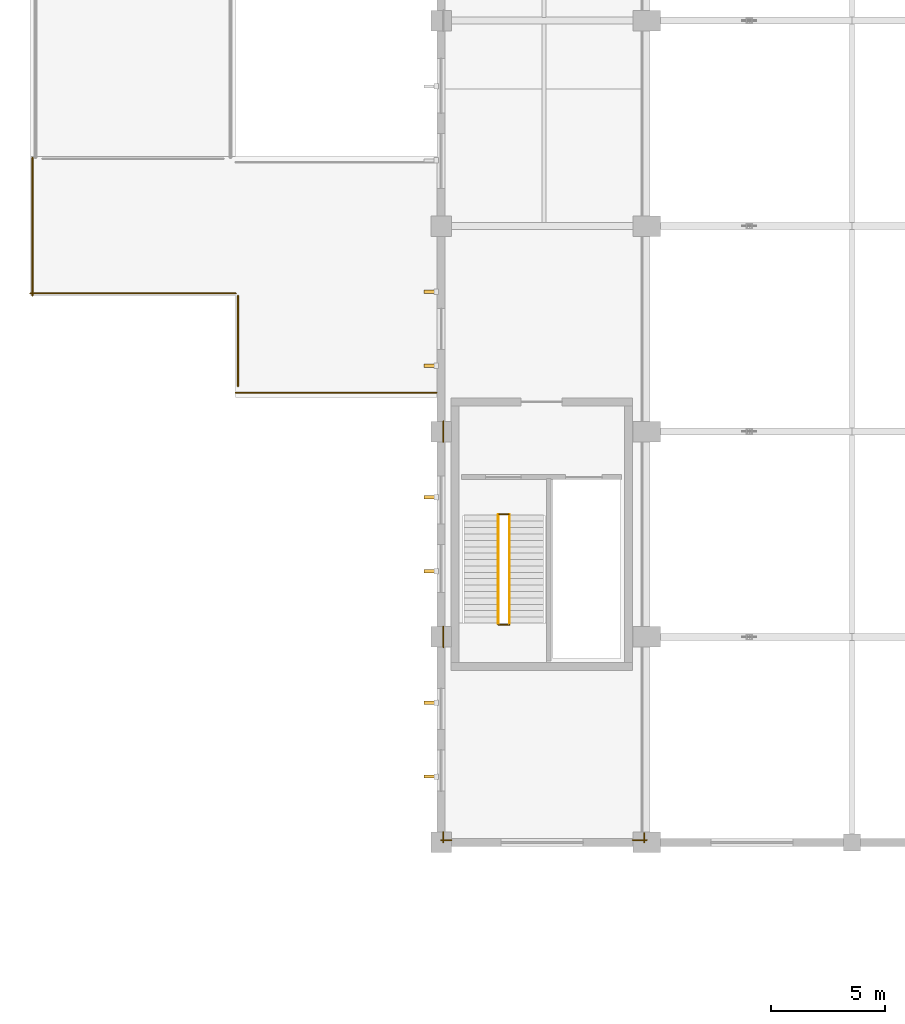
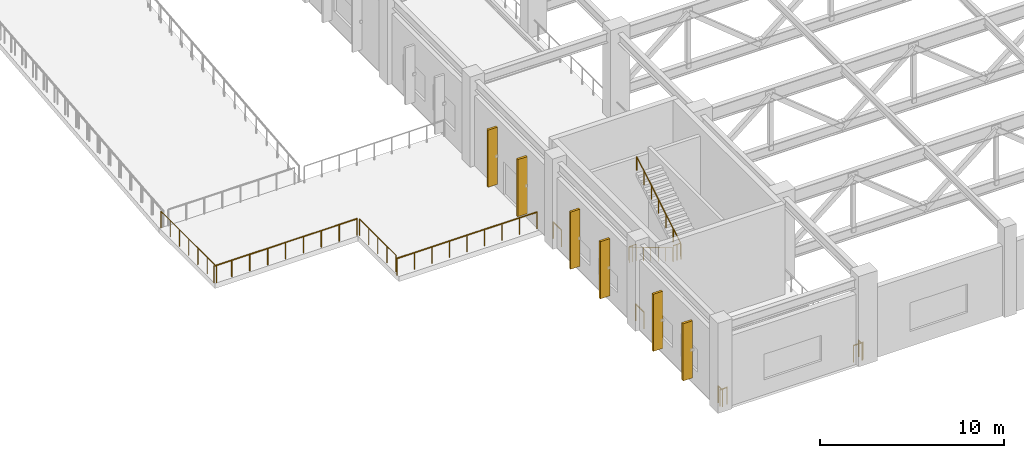
# One storey, part 201 of 223: 14 railings, 6 shading devices.
"""IFC4 building model written with IfcOpenShell, lengths in metres."""

import ifcopenshell
import ifcopenshell.guid

model = None  # the IFC model being written
_history = None  # IfcOwnerHistory: only IFC2X3 demands one
_inside = {}  # id of a spatial element -> (the spatial element, [elements in it])
_under = {}  # id of a project, library or spatial element -> (it, [spatial elements below it])
_declared = {}  # id of a project -> (the project, [libraries it declares])
_typed = {}  # id of a type object -> (the type object, [elements of that type])
_made_of = {}  # id of a material, layer set ... -> (it, [elements and type objects made of it])


def new_model(schema):
    """Start an empty IFC model of exactly this schema.

    Asked for "IFC4X3", IfcOpenShell would pick the latest addendum, in which some entities
    have other attributes; the version numbers below select the first issue.
    IFC2X3 requires an IfcOwnerHistory on every rooted entity: one is made here for all.
    """
    global model, _history
    if schema == "IFC4X3":
        model = ifcopenshell.file(schema_version=(4, 3, 0, 0))
    else:
        model = ifcopenshell.file(schema=schema)
    _inside.clear()
    _under.clear()
    _declared.clear()
    _typed.clear()
    _made_of.clear()
    _history = None
    if model.schema == "IFC2X3":
        org = make("IfcOrganization", Name="unknown")
        user = make(
            "IfcPersonAndOrganization",
            ThePerson=make("IfcPerson", FamilyName="unknown"),
            TheOrganization=org,
        )
        app = make(
            "IfcApplication",
            ApplicationDeveloper=org,
            Version="unknown",
            ApplicationFullName="unknown",
            ApplicationIdentifier="unknown",
        )
        _history = make(
            "IfcOwnerHistory",
            OwningUser=user,
            OwningApplication=app,
            ChangeAction="ADDED",
            CreationDate=0,
        )
    return model


def make(cls, **values):
    """One entity of the class cls with the attributes given. An attribute that is None is left unset."""
    return model.create_entity(
        cls, **{name: value for name, value in values.items() if value is not None}
    )


def rooted(cls, **values):
    """An entity with a GlobalId (a new one), such as an element, a storey or a relation."""
    return make(cls, GlobalId=ifcopenshell.guid.new(), OwnerHistory=_history, **values)


def si_unit(unit_type, name, prefix=None):
    """IfcSIUnit, for example si_unit("LENGTHUNIT", "METRE", prefix="MILLI")."""
    return make("IfcSIUnit", UnitType=unit_type, Prefix=prefix, Name=name)


def assignment(units):
    """IfcUnitAssignment: the units of a project."""
    return None if units is None else make("IfcUnitAssignment", Units=units)


def point(xyz):
    """IfcCartesianPoint."""
    return None if xyz is None else make("IfcCartesianPoint", Coordinates=xyz)


def direction(xyz):
    """IfcDirection."""
    return None if xyz is None else make("IfcDirection", DirectionRatios=xyz)


def frame(location, z_axis=None, x_axis=None):
    """IfcAxis2Placement3D, a coordinate frame: its origin and axes. An axis left out is left unset."""
    return make(
        "IfcAxis2Placement3D",
        Location=point(location),
        Axis=direction(z_axis),
        RefDirection=direction(x_axis),
    )


def frame_2d(location, x_axis=None):
    """IfcAxis2Placement2D, a coordinate frame in the plane: its origin and x axis."""
    return make(
        "IfcAxis2Placement2D", Location=point(location), RefDirection=direction(x_axis)
    )


def origin():
    """The frame at (0, 0, 0) with its axes left unset."""
    return frame((0.0, 0.0, 0.0))


def origin_2d():
    """The frame at (0, 0) in the plane with its x axis left unset."""
    return frame_2d((0.0, 0.0))


def place(relative_to, where):
    """IfcLocalPlacement: puts the frame where relative to a parent placement (None: the world)."""
    return make(
        "IfcLocalPlacement", PlacementRelTo=relative_to, RelativePlacement=where
    )


def context(
    kind, dimensions, precision=None, world=None, true_north=None, identifier=None
):
    """IfcGeometricRepresentationContext, for example the 3D "Model" context."""
    return make(
        "IfcGeometricRepresentationContext",
        ContextIdentifier=identifier,
        ContextType=kind,
        CoordinateSpaceDimension=dimensions,
        Precision=precision,
        WorldCoordinateSystem=world,
        TrueNorth=true_north,
    )


def subcontext(parent, identifier, kind, view, scale=None):
    """IfcGeometricRepresentationSubContext, for example "Body" below "Model"."""
    return make(
        "IfcGeometricRepresentationSubContext",
        ContextIdentifier=identifier,
        ContextType=kind,
        ParentContext=parent,
        TargetScale=scale,
        TargetView=view,
    )


def project(units=None, contexts=None):
    """IfcProject with its units and contexts."""
    return rooted(
        "IfcProject",
        Name="project",
        RepresentationContexts=contexts,
        UnitsInContext=assignment(units),
    )


def spatial(cls, under=None, at=None, **own):
    """A site, building, storey or space (cls), placed at a placement, below another one or the project."""
    s = rooted(cls, ObjectPlacement=at, **own)
    if under is not None:
        _under.setdefault(under.id(), (under, []))[1].append(s)
    return s


def profile(cls, at=None, kind="AREA", **sizes):
    """A parametric profile (cls). Its sizes go by their IFC names, for example OverallWidth=200.0."""
    return make(cls, ProfileType=kind, Position=at, **sizes)


def rectangle(**sizes):
    """IfcRectangleProfileDef."""
    return profile("IfcRectangleProfileDef", **sizes)


def circle(**sizes):
    """IfcCircleProfileDef."""
    return profile("IfcCircleProfileDef", **sizes)


def extrude(swept, where, along, depth):
    """IfcExtrudedAreaSolid: the profile swept, set in the frame where, extruded along a direction by depth."""
    return make(
        "IfcExtrudedAreaSolid",
        SweptArea=swept,
        Position=where,
        ExtrudedDirection=direction(along),
        Depth=depth,
    )


def shape(context_of_items, identifier, shape_type, items):
    """IfcShapeRepresentation: the items that make up one representation, for example the "Body"."""
    return make(
        "IfcShapeRepresentation",
        ContextOfItems=context_of_items,
        RepresentationIdentifier=identifier,
        RepresentationType=shape_type,
        Items=items,
    )


def material(Name=None, Category=None):
    """IfcMaterial."""
    return make("IfcMaterial", Name=Name, Category=Category)


def layer(
    of_material, thickness, ventilated=None, Name=None, Category=None, Priority=None
):
    """IfcMaterialLayer: one layer of a wall or slab, of a material (None: an air gap)."""
    return make(
        "IfcMaterialLayer",
        Material=of_material,
        LayerThickness=thickness,
        IsVentilated=ventilated,
        Name=Name,
        Category=Category,
        Priority=Priority,
    )


def layer_set(layers, Name=None):
    """IfcMaterialLayerSet."""
    return make("IfcMaterialLayerSet", MaterialLayers=layers, LayerSetName=Name)


def made_of(thing, what):
    """Note that an element or type object is made of a material, layer set ...; save() writes the relation."""
    if what is not None:
        _made_of.setdefault(what.id(), (what, []))[1].append(thing)
    return thing


def type_object(cls, material=None, **own):
    """A type object (cls), such as IfcWallType, which elements share."""
    return made_of(rooted(cls, **own), material)


def element(
    cls,
    number,
    at=None,
    inside=None,
    cuts=None,
    type_object=None,
    material=None,
    context=None,
    identifier="Body",
    shape_type=None,
    held_by="IfcProductDefinitionShape",
    body=None,
    shapes=None,
    **own,
):
    """One element of the class cls, such as IfcWall. Its Tag is "e" and its number.

    at: its placement. inside: the storey or other place that contains it. cuts: it is an
    opening in that element (IfcRelVoidsElement). A single representation is given by context,
    identifier, shape_type and body (its items); several are given by shapes. held_by: the class
    of the entity that holds the representations. save() writes the other relations.
    """
    e = rooted(cls, Tag="e%d" % number, ObjectPlacement=at, **own)
    if body is not None:
        shapes = [shape(context, identifier, shape_type, body)]
    if shapes is not None:
        e.Representation = make(held_by, Representations=shapes)
    if inside is not None:
        _inside.setdefault(inside.id(), (inside, []))[1].append(e)
    if cuts is not None:
        rooted(
            "IfcRelVoidsElement", RelatingBuildingElement=cuts, RelatedOpeningElement=e
        )
    if type_object is not None:
        _typed.setdefault(type_object.id(), (type_object, []))[1].append(e)
    return made_of(e, material)


def aggregate(whole, parts):
    """IfcRelAggregates: a whole, such as a stair, and the parts it consists of."""
    return rooted("IfcRelAggregates", RelatingObject=whole, RelatedObjects=parts)


def save(model, path):
    """Write the relations noted so far, then the file.

    IfcRelAggregates (storeys below a building ...), IfcRelContainedInSpatialStructure (elements
    in a storey), IfcRelDefinesByType, IfcRelAssociatesMaterial and IfcRelDeclares: one each for
    every whole, place, type object, material and project.
    """
    for whole, parts in _under.values():
        aggregate(whole, parts)
    for where, things in _inside.values():
        rooted(
            "IfcRelContainedInSpatialStructure",
            RelatedElements=things,
            RelatingStructure=where,
        )
    for kind, things in _typed.values():
        rooted("IfcRelDefinesByType", RelatedObjects=things, RelatingType=kind)
    for what, things in _made_of.values():
        rooted("IfcRelAssociatesMaterial", RelatedObjects=things, RelatingMaterial=what)
    for by, libraries in _declared.values():
        rooted("IfcRelDeclares", RelatingContext=by, RelatedDefinitions=libraries)
    model.write(path)


model = new_model("IFC4")

# Units and contexts
model_context = context("Model", 3, precision=1e-05, world=origin(), true_north=direction((0.0, 1.0)))
body_context = subcontext(model_context, "Body", "Model", "MODEL_VIEW")
ifc_project = project(units=[si_unit("LENGTHUNIT", "METRE"), si_unit("AREAUNIT", "SQUARE_METRE"), si_unit("VOLUMEUNIT", "CUBIC_METRE"), si_unit("PLANEANGLEUNIT", "RADIAN"), si_unit("MASSUNIT", "GRAM", prefix="KILO")], contexts=[model_context])

# Site, building, storey
site_placement = place(None, origin())
site = spatial("IfcSite", under=ifc_project, at=site_placement, CompositionType="ELEMENT")
building_placement = place(site_placement, origin())
building = spatial("IfcBuilding", under=site, at=building_placement, Name="Dornveld Trade and Exhibition Forum", CompositionType="ELEMENT")
storey_placement = place(building_placement, frame((0.0, 0.0, 6.0)))
storey = spatial("IfcBuildingStorey", under=building, at=storey_placement, Name="L01", CompositionType="ELEMENT", Elevation=6.0)

# Railings
ifc_material_1 = material(Name="Dark-bronze steel and laminated glass balustrade", Category="steel")
railing_type_1 = type_object("IfcRailingType", Name="RL-BALUST-CONC", PredefinedType="BALUSTRADE", material=ifc_material_1)
railing_1_placement = place(storey_placement, frame((0.10009765625, 59.949951171875, 0.0)))
element("IfcRailing", 1, at=railing_1_placement, inside=storey, type_object=railing_type_1, Name="L01 deck edge balustrade 82", PredefinedType="BALUSTRADE", context=body_context, shape_type="SweptSolid", body=[
    extrude(circle(Radius=0.02490234375, at=origin_2d()), frame((0.0, 0.0, 1.09521484375), z_axis=(0.0, 1.0, 0.0), x_axis=(-1.0, 0.0, 0.0)), (0.0, 0.0, 1.0), 6.050048828125),
    extrude(circle(Radius=0.02099609375, at=origin_2d()), origin(), (0.0, 0.0, 1.0), 1.070068359375),
    extrude(circle(Radius=0.02099609375, at=origin_2d()), frame((0.0, 1.00830078125, 0.0)), (0.0, 0.0, 1.0), 1.070068359375),
    extrude(circle(Radius=0.02099609375, at=origin_2d()), frame((0.0, 2.0166015625, 0.0)), (0.0, 0.0, 1.0), 1.070068359375),
    extrude(circle(Radius=0.02099609375, at=origin_2d()), frame((0.0, 3.02490234375, 0.0)), (0.0, 0.0, 1.0), 1.070068359375),
    extrude(circle(Radius=0.02099609375, at=origin_2d()), frame((0.0, 4.033447265625, 0.0)), (0.0, 0.0, 1.0), 1.070068359375),
    extrude(circle(Radius=0.02099609375, at=origin_2d()), frame((0.0, 5.041748046875, 0.0)), (0.0, 0.0, 1.0), 1.070068359375),
    extrude(circle(Radius=0.02099609375, at=origin_2d()), frame((0.0, 6.050048828125, 0.0)), (0.0, 0.0, 1.0), 1.070068359375),
])
railing_2_placement = place(storey_placement, frame((26.89990234375, 36.39990234375, 0.0)))
element("IfcRailing", 2, at=railing_2_placement, inside=storey, type_object=railing_type_1, Name="L01 deck edge balustrade 94", PredefinedType="BALUSTRADE", context=body_context, shape_type="SweptSolid", body=[
    extrude(circle(Radius=0.02490234375, at=origin_2d()), frame((0.0, 0.0, 1.09521484375), z_axis=(0.0, -1.0, 0.0), x_axis=(1.0, 0.0, 0.0)), (0.0, 0.0, 1.0), 0.39990234375),
    extrude(circle(Radius=0.02099609375, at=origin_2d()), origin(), (0.0, 0.0, 1.0), 1.070068359375),
    extrude(circle(Radius=0.02099609375, at=origin_2d()), frame((0.0, -0.39990234375, 0.0)), (0.0, 0.0, 1.0), 1.070068359375),
])
railing_3_placement = place(storey_placement, frame((27.0, 36.10009765625, 0.0)))
element("IfcRailing", 3, at=railing_3_placement, inside=storey, type_object=railing_type_1, Name="L01 deck edge balustrade 95", PredefinedType="BALUSTRADE", context=body_context, shape_type="SweptSolid", body=[
    extrude(circle(Radius=0.02490234375, at=origin_2d()), frame((0.0, 0.0, 1.09521484375), z_axis=(-1.0, 0.0, 0.0), x_axis=(0.0, -1.0, 0.0)), (0.0, 0.0, 1.0), 0.599609375),
    extrude(circle(Radius=0.02099609375, at=origin_2d()), origin(), (0.0, 0.0, 1.0), 1.070068359375),
    extrude(circle(Radius=0.02099609375, at=origin_2d()), frame((-0.599609375, 0.0, 0.0)), (0.0, 0.0, 1.0), 1.070068359375),
])
railing_4_placement = place(storey_placement, frame((18.449462890625, 36.10009765625, 0.0)))
element("IfcRailing", 4, at=railing_4_placement, inside=storey, type_object=railing_type_1, Name="L01 deck edge balustrade 96", PredefinedType="BALUSTRADE", context=body_context, shape_type="SweptSolid", body=[
    extrude(circle(Radius=0.02490234375, at=origin_2d()), frame((0.0, 0.0, 1.09521484375), z_axis=(-1.0, 0.0, 0.0), x_axis=(0.0, -1.0, 0.0)), (0.0, 0.0, 1.0), 0.449462890625),
    extrude(circle(Radius=0.02099609375, at=origin_2d()), origin(), (0.0, 0.0, 1.0), 1.070068359375),
    extrude(circle(Radius=0.02099609375, at=origin_2d()), frame((-0.449462890625, 0.0, 0.0)), (0.0, 0.0, 1.0), 1.070068359375),
])
railing_5_placement = place(storey_placement, frame((18.10009765625, 36.0, 0.0)))
element("IfcRailing", 5, at=railing_5_placement, inside=storey, type_object=railing_type_1, Name="L01 deck edge balustrade 97", PredefinedType="BALUSTRADE", context=body_context, shape_type="SweptSolid", body=[
    extrude(circle(Radius=0.02490234375, at=origin_2d()), frame((0.0, 0.0, 1.09521484375), z_axis=(0.0, 1.0, 0.0), x_axis=(-1.0, 0.0, 0.0)), (0.0, 0.0, 1.0), 0.449462890625),
    extrude(circle(Radius=0.02099609375, at=origin_2d()), origin(), (0.0, 0.0, 1.0), 1.070068359375),
    extrude(circle(Radius=0.02099609375, at=origin_2d()), frame((0.0, 0.449462890625, 0.0)), (0.0, 0.0, 1.0), 1.070068359375),
])
for number, where, name in (
    (6, (18.10009765625, 44.550537109375, 0.0), "L01 deck edge balustrade 98"),
    (7, (18.10009765625, 53.550537109375, 0.0), "L01 deck edge balustrade 99"),
):
    element("IfcRailing", number, at=place(storey_placement, frame(where)), inside=storey, type_object=railing_type_1, Name=name, PredefinedType="BALUSTRADE", context=body_context, shape_type="SweptSolid", body=[
        extrude(circle(Radius=0.02490234375, at=origin_2d()), frame((0.0, 0.0, 1.09521484375), z_axis=(0.0, 1.0, 0.0), x_axis=(-1.0, 0.0, 0.0)), (0.0, 0.0, 1.0), 0.89892578125),
        extrude(circle(Radius=0.02099609375, at=origin_2d()), origin(), (0.0, 0.0, 1.0), 1.070068359375),
        extrude(circle(Radius=0.02099609375, at=origin_2d()), frame((0.0, 0.89892578125, 0.0)), (0.0, 0.0, 1.0), 1.070068359375),
    ])
railing_6_placement = place(storey_placement, frame((9.10009765625, 55.97998046875, 0.0)))
element("IfcRailing", 8, at=railing_6_placement, inside=storey, type_object=railing_type_1, Name="L01 deck edge balustrade 100", PredefinedType="BALUSTRADE", context=body_context, shape_type="SweptSolid", body=[
    extrude(circle(Radius=0.02490234375, at=origin_2d()), frame((0.0, 0.0, 1.09521484375), z_axis=(0.0, 1.0, 0.0), x_axis=(-1.0, 0.0, 0.0)), (0.0, 0.0, 1.0), 3.969970703125),
    extrude(circle(Radius=0.02099609375, at=origin_2d()), origin(), (0.0, 0.0, 1.0), 1.070068359375),
    extrude(circle(Radius=0.02099609375, at=origin_2d()), frame((0.0, 0.992431640625, 0.0)), (0.0, 0.0, 1.0), 1.070068359375),
    extrude(circle(Radius=0.02099609375, at=origin_2d()), frame((0.0, 1.98486328125, 0.0)), (0.0, 0.0, 1.0), 1.070068359375),
    extrude(circle(Radius=0.02099609375, at=origin_2d()), frame((0.0, 2.9775390625, 0.0)), (0.0, 0.0, 1.0), 1.070068359375),
    extrude(circle(Radius=0.02099609375, at=origin_2d()), frame((0.0, 3.969970703125, 0.0)), (0.0, 0.0, 1.0), 1.070068359375),
])
railing_7_placement = place(storey_placement, frame((9.0, 60.050048828125, 0.0)))
element("IfcRailing", 9, at=railing_7_placement, inside=storey, type_object=railing_type_1, Name="L01 deck edge balustrade 101", PredefinedType="BALUSTRADE", context=body_context, shape_type="SweptSolid", body=[
    extrude(circle(Radius=0.02490234375, at=origin_2d()), frame((0.0, 0.0, 1.09521484375), z_axis=(-1.0, 0.0, 0.0), x_axis=(0.0, -1.0, 0.0)), (0.0, 0.0, 1.0), 9.0),
    extrude(circle(Radius=0.02099609375, at=origin_2d()), origin(), (0.0, 0.0, 1.0), 1.070068359375),
    extrude(circle(Radius=0.02099609375, at=origin_2d()), frame((-1.125, 0.0, 0.0)), (0.0, 0.0, 1.0), 1.070068359375),
    extrude(circle(Radius=0.02099609375, at=origin_2d()), frame((-2.25, 0.0, 0.0)), (0.0, 0.0, 1.0), 1.070068359375),
    extrude(circle(Radius=0.02099609375, at=origin_2d()), frame((-3.375, 0.0, 0.0)), (0.0, 0.0, 1.0), 1.070068359375),
    extrude(circle(Radius=0.02099609375, at=origin_2d()), frame((-4.5, 0.0, 0.0)), (0.0, 0.0, 1.0), 1.070068359375),
    extrude(circle(Radius=0.02099609375, at=origin_2d()), frame((-5.625, 0.0, 0.0)), (0.0, 0.0, 1.0), 1.070068359375),
    extrude(circle(Radius=0.02099609375, at=origin_2d()), frame((-6.75, 0.0, 0.0)), (0.0, 0.0, 1.0), 1.070068359375),
    extrude(circle(Radius=0.02099609375, at=origin_2d()), frame((-7.875, 0.0, 0.0)), (0.0, 0.0, 1.0), 1.070068359375),
    extrude(circle(Radius=0.02099609375, at=origin_2d()), frame((-9.0, 0.0, 0.0)), (0.0, 0.0, 1.0), 1.070068359375),
])
ifc_material_2 = material(Name="Galvanised steel S355J2 balustrade", Category="steel")
railing_type_2 = type_object("IfcRailingType", Name="RL-GUARD-TERR", PredefinedType="GUARDRAIL", material=ifc_material_2)
railing_8_placement = place(storey_placement, frame((9.0, 55.699951171875, 0.0)))
element("IfcRailing", 10, at=railing_8_placement, inside=storey, type_object=railing_type_2, Name="L01 protective edge guard 24", PredefinedType="GUARDRAIL", context=body_context, shape_type="SweptSolid", body=[
    extrude(circle(Radius=0.02490234375, at=origin_2d()), frame((0.0, 0.0, 1.09521484375), z_axis=(1.0, 0.0, 0.0), x_axis=(0.0, 1.0, 0.0)), (0.0, 0.0, 1.0), 8.800048828125),
    extrude(circle(Radius=0.02099609375, at=origin_2d()), origin(), (0.0, 0.0, 1.0), 1.070068359375),
    extrude(circle(Radius=0.02099609375, at=origin_2d()), frame((1.10009765625, 0.0, 0.0)), (0.0, 0.0, 1.0), 1.070068359375),
    extrude(circle(Radius=0.02099609375, at=origin_2d()), frame((2.199951171875, 0.0, 0.0)), (0.0, 0.0, 1.0), 1.070068359375),
    extrude(circle(Radius=0.02099609375, at=origin_2d()), frame((3.300048828125, 0.0, 0.0)), (0.0, 0.0, 1.0), 1.070068359375),
    extrude(circle(Radius=0.02099609375, at=origin_2d()), frame((4.39990234375, 0.0, 0.0)), (0.0, 0.0, 1.0), 1.070068359375),
    extrude(circle(Radius=0.02099609375, at=origin_2d()), frame((5.5, 0.0, 0.0)), (0.0, 0.0, 1.0), 1.070068359375),
    extrude(circle(Radius=0.02099609375, at=origin_2d()), frame((6.60009765625, 0.0, 0.0)), (0.0, 0.0, 1.0), 1.070068359375),
    extrude(circle(Radius=0.02099609375, at=origin_2d()), frame((7.699951171875, 0.0, 0.0)), (0.0, 0.0, 1.0), 1.070068359375),
    extrude(circle(Radius=0.02099609375, at=origin_2d()), frame((8.800048828125, 0.0, 0.0)), (0.0, 0.0, 1.0), 1.070068359375),
])
ifc_material_3 = material(Name="Brushed stainless steel handrail", Category="steel")
railing_type_3 = type_object("IfcRailingType", Name="RL-HAND-920", PredefinedType="HANDRAIL", material=ifc_material_3)
railing_9_placement = place(storey_placement, frame((20.5048828125, 50.35009765625, 0.166748046875)))
element("IfcRailing", 11, at=railing_9_placement, inside=storey, type_object=railing_type_3, Name="ST-09-L01 flight 1 handrail", PredefinedType="HANDRAIL", context=body_context, shape_type="SweptSolid", body=[
    extrude(circle(Radius=0.02099609375, at=origin_2d()), frame((0.0, 0.0, 0.89892578125), z_axis=(0.0, -0.859299802514, 0.511472237174), x_axis=(1.0, 0.0, 0.0)), (0.0, 0.0, 1.0), 5.539306640625),
    extrude(circle(Radius=0.01806640625, at=origin_2d()), origin(), (0.0, 0.0, 1.0), 0.8779296875),
    extrude(circle(Radius=0.01806640625, at=origin_2d()), frame((0.0, -0.79345703125, 0.47216796875)), (0.0, 0.0, 1.0), 0.8779296875),
    extrude(circle(Radius=0.01806640625, at=origin_2d()), frame((0.0, -1.586669921875, 0.9443359375)), (0.0, 0.0, 1.0), 0.8779296875),
    extrude(circle(Radius=0.01806640625, at=origin_2d()), frame((0.0, -2.3798828125, 1.41650390625)), (0.0, 0.0, 1.0), 0.8779296875),
    extrude(circle(Radius=0.01806640625, at=origin_2d()), frame((0.0, -3.17333984375, 1.888916015625)), (0.0, 0.0, 1.0), 0.8779296875),
    extrude(circle(Radius=0.01806640625, at=origin_2d()), frame((0.0, -3.966796875, 2.361083984375)), (0.0, 0.0, 1.0), 0.8779296875),
    extrude(circle(Radius=0.01806640625, at=origin_2d()), frame((0.0, -4.760009765625, 2.833251953125)), (0.0, 0.0, 1.0), 0.8779296875),
])
railing_10_placement = place(storey_placement, frame((20.9951171875, 45.590087890625, 3.166748046875)))
element("IfcRailing", 12, at=railing_10_placement, inside=storey, type_object=railing_type_3, Name="ST-09-L01 flight 2 handrail", PredefinedType="HANDRAIL", context=body_context, shape_type="SweptSolid", body=[
    extrude(circle(Radius=0.02099609375, at=origin_2d()), frame((0.0, 0.0, 0.89892578125), z_axis=(0.0, 0.859299802514, 0.511472237174), x_axis=(-1.0, 0.0, 0.0)), (0.0, 0.0, 1.0), 5.539306640625),
    extrude(circle(Radius=0.01806640625, at=origin_2d()), origin(), (0.0, 0.0, 1.0), 0.8779296875),
    extrude(circle(Radius=0.01806640625, at=origin_2d()), frame((0.0, 0.79345703125, 0.47216796875)), (0.0, 0.0, 1.0), 0.8779296875),
    extrude(circle(Radius=0.01806640625, at=origin_2d()), frame((0.0, 1.586669921875, 0.9443359375)), (0.0, 0.0, 1.0), 0.8779296875),
    extrude(circle(Radius=0.01806640625, at=origin_2d()), frame((0.0, 2.3798828125, 1.41650390625)), (0.0, 0.0, 1.0), 0.8779296875),
    extrude(circle(Radius=0.01806640625, at=origin_2d()), frame((0.0, 3.17333984375, 1.888916015625)), (0.0, 0.0, 1.0), 0.8779296875),
    extrude(circle(Radius=0.01806640625, at=origin_2d()), frame((0.0, 3.966796875, 2.361083984375)), (0.0, 0.0, 1.0), 0.8779296875),
    extrude(circle(Radius=0.01806640625, at=origin_2d()), frame((0.0, 4.760009765625, 2.833251953125)), (0.0, 0.0, 1.0), 0.8779296875),
])
ifc_material_4 = material(Name="Painted steel S355J2 stair-well guard", Category="steel")
railing_type_4 = type_object("IfcRailingType", Name="RL-WELL-110", PredefinedType="GUARDRAIL", material=ifc_material_4)
railing_11_placement = place(storey_placement, frame((20.5048828125, 45.5400390625, 3.0)))
element("IfcRailing", 13, at=railing_11_placement, inside=storey, type_object=railing_type_4, Name="ST-09-L01 half-landing well guard", PredefinedType="GUARDRAIL", context=body_context, shape_type="SweptSolid", body=[
    extrude(circle(Radius=0.02392578125, at=origin_2d()), frame((0.0, 0.0, 1.076171875), z_axis=(1.0, 0.0, 0.0), x_axis=(0.0, 1.0, 0.0)), (0.0, 0.0, 1.0), 0.490234375),
    extrude(circle(Radius=0.02001953125, at=origin_2d()), origin(), (0.0, 0.0, 1.0), 1.052001953125),
    extrude(circle(Radius=0.02001953125, at=origin_2d()), frame((0.2451171875, 0.0, 0.0)), (0.0, 0.0, 1.0), 1.052001953125),
    extrude(circle(Radius=0.02001953125, at=origin_2d()), frame((0.490234375, 0.0, 0.0)), (0.0, 0.0, 1.0), 1.052001953125),
])
railing_12_placement = place(storey_placement, frame((20.534912109375, 50.3701171875, 0.0)))
element("IfcRailing", 14, at=railing_12_placement, inside=storey, type_object=railing_type_4, Name="CORE-09 L01 stair-slot floor guard", PredefinedType="GUARDRAIL", context=body_context, shape_type="SweptSolid", body=[
    extrude(circle(Radius=0.02392578125, at=origin_2d()), frame((0.0, 0.0, 1.076171875), z_axis=(1.0, 0.0, 0.0), x_axis=(0.0, 1.0, 0.0)), (0.0, 0.0, 1.0), 0.43017578125),
    extrude(circle(Radius=0.02001953125, at=origin_2d()), origin(), (0.0, 0.0, 1.0), 1.052001953125),
    extrude(circle(Radius=0.02001953125, at=origin_2d()), frame((0.215087890625, 0.0, 0.0)), (0.0, 0.0, 1.0), 1.052001953125),
    extrude(circle(Radius=0.02001953125, at=origin_2d()), frame((0.43017578125, 0.0, 0.0)), (0.0, 0.0, 1.0), 1.052001953125),
])

# Shading devices
ifc_material_5 = material(Name="Precast concrete C50/60", Category="concrete")
ifc_layer = layer(ifc_material_5, 0.139892578125)
ifc_layer_set = layer_set([ifc_layer], Name="Precast concrete C50/60")
shading_device_type = type_object("IfcShadingDeviceType", Name="SHD-FIN-600", PredefinedType="JALOUSIE", material=ifc_layer_set)
for number, where, z_axis, x_axis, name in (
    (15, (17.5400390625, 42.1201171875, 0.2998046875), (0.0, 0.0, 1.0), (0.0, -1.0, 0.0), "L01 vertical solar brise-soleil fin 21"),
    (16, (17.5400390625, 38.8798828125, 0.2998046875), (0.0, 0.0, 1.0), (0.0, -1.0, 0.0), "L01 vertical solar brise-soleil fin 22"),
    (17, (17.5400390625, 51.1201171875, 0.2998046875), (0.0, 0.0, 1.0), (0.0, -1.0, 0.0), "L01 vertical solar brise-soleil fin 29"),
    (18, (17.5400390625, 47.8798828125, 0.2998046875), (0.0, 0.0, 1.0), (0.0, -1.0, 0.0), "L01 vertical solar brise-soleil fin 30"),
    (19, (17.5400390625, 60.1201171875, 0.2998046875), (0.0, 0.0, 1.0), (0.0, -1.0, 0.0), "L01 vertical solar brise-soleil fin 37"),
    (20, (17.5400390625, 56.8798828125, 0.2998046875), (0.0, 0.0, 1.0), (0.0, -1.0, 0.0), "L01 vertical solar brise-soleil fin 38"),
):
    element("IfcShadingDevice", number, at=place(storey_placement, frame(where, z_axis=z_axis, x_axis=x_axis)), inside=storey, type_object=shading_device_type, Name=name, PredefinedType="JALOUSIE", context=body_context, shape_type="SweptSolid", body=[
        extrude(rectangle(XDim=0.139892578125, YDim=0.60009765625, at=origin_2d()), origin(), (0.0, 0.0, 1.0), 3.800048828125),
    ])

save(model, "model.ifc")
